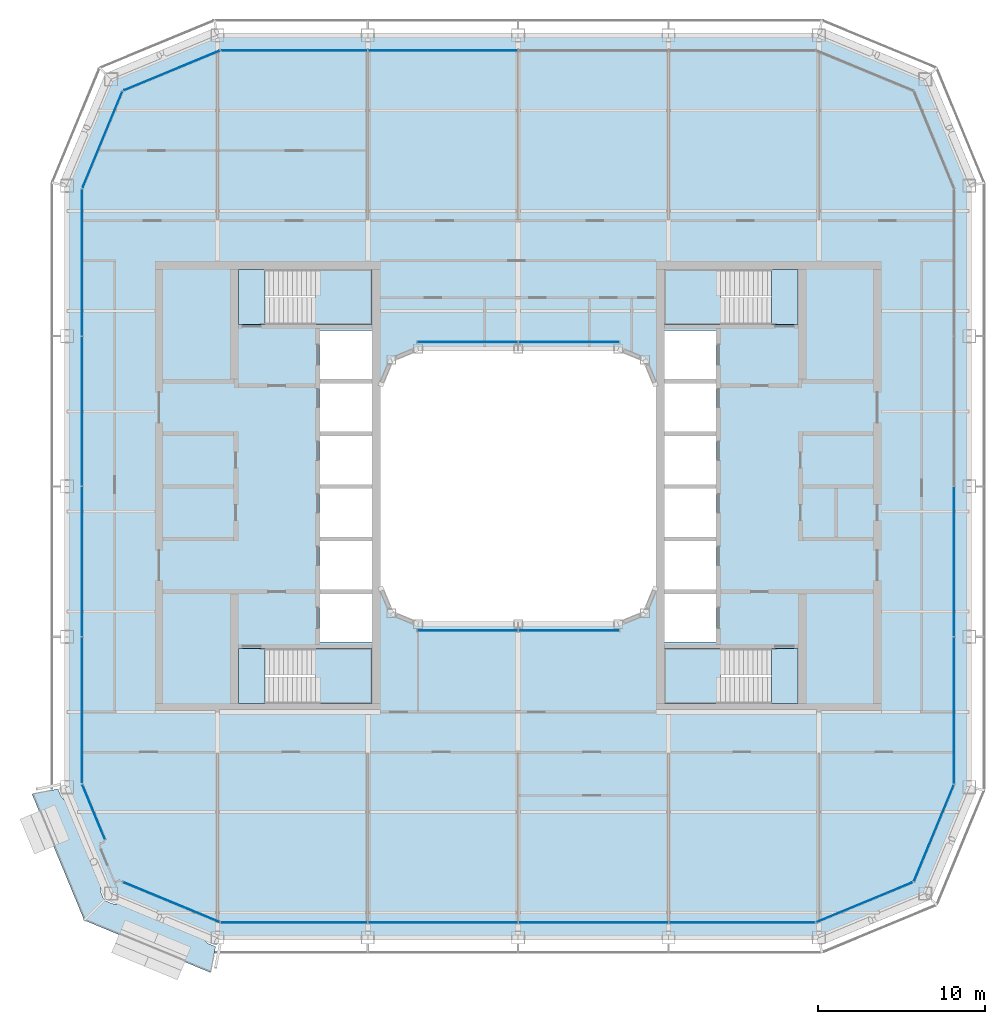
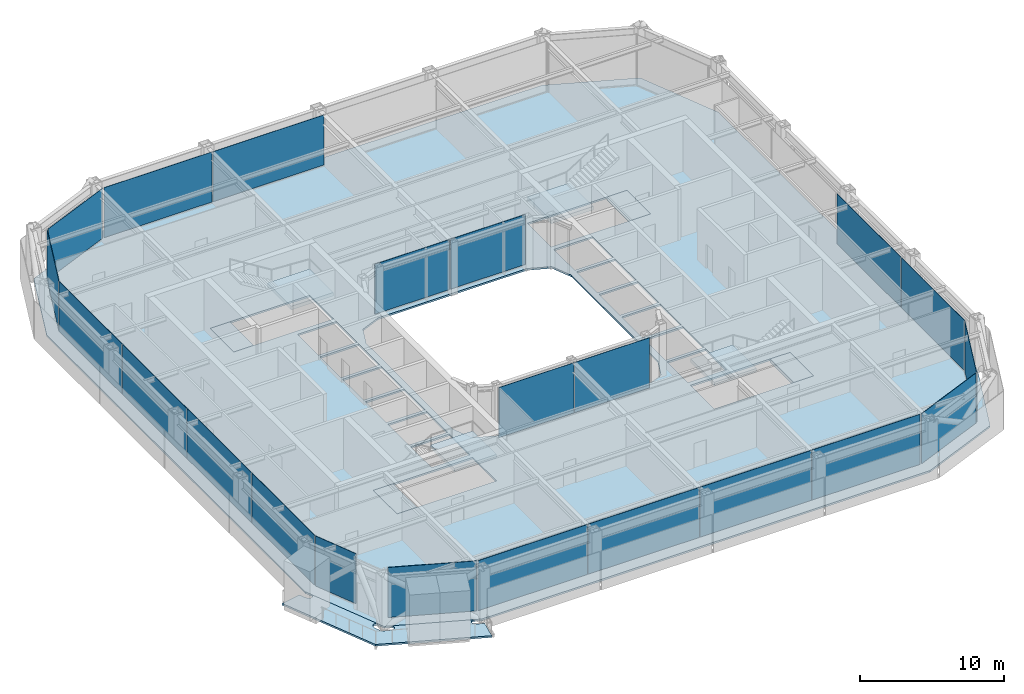
# One storey, part 11 of 23: 22 plates, 10 slabs, 16 elements without a shape of their own.
"""IFC4 building model written with IfcOpenShell, lengths in metres."""

from ifc_helpers import new_model, si_unit, direction, frame, origin, origin_2d, place, context, subcontext, project, spatial, polyline, rectangle, outline, extrude, material, layer, layer_set, type_object, element, aggregate, save


model = new_model("IFC4")

# Units and contexts
model_context = context("Model", 3, precision=1e-05, world=origin(), true_north=direction((0.0, 1.0)))
body_context = subcontext(model_context, "Body", "Model", "MODEL_VIEW")
ifc_project = project(units=[si_unit("LENGTHUNIT", "METRE"), si_unit("AREAUNIT", "SQUARE_METRE"), si_unit("VOLUMEUNIT", "CUBIC_METRE"), si_unit("PLANEANGLEUNIT", "RADIAN"), si_unit("MASSUNIT", "GRAM", prefix="KILO")], contexts=[model_context])

# Site, building, storey
site_placement = place(None, origin())
site = spatial("IfcSite", under=ifc_project, at=site_placement, CompositionType="ELEMENT")
building_placement = place(site_placement, origin())
building = spatial("IfcBuilding", under=site, at=building_placement, Name="Siwar Civic Tower", CompositionType="ELEMENT")
storey_placement = place(building_placement, frame((0.0, 0.0, 251.199951171875)))
storey = spatial("IfcBuildingStorey", under=building, at=storey_placement, Name="L54", CompositionType="ELEMENT", Elevation=251.199951171875)

# Stair, slabs
ifc_material_1 = material(Name="Concrete C40/50", Category="concrete")
stair_type = type_object("IfcStairType", Name="CORE-STAIR", PredefinedType="TWO_STRAIGHT_RUN_STAIR", material=ifc_material_1)
stair_1_placement = place(storey_placement, origin())
stair_1 = element("IfcStair", 1, at=stair_1_placement, inside=storey, type_object=stair_type, Name="Exit stair ST1", PredefinedType="TWO_STRAIGHT_RUN_STAIR")
ifc_material_2 = material(Name="Concrete C40/50", Category="concrete")
ifc_layer_1 = layer(ifc_material_2, 0.300048828125)
ifc_layer_set_1 = layer_set([ifc_layer_1], Name="Concrete C40/50")
slab_type_1 = type_object("IfcSlabType", Name="CORE-STAIR-LANDING", PredefinedType="LANDING", material=ifc_layer_set_1)
slab_1_placement = place(storey_placement, frame((0.0, 0.0, -0.300048828125)))
slab_1 = element("IfcSlab", 2, at=slab_1_placement, type_object=slab_type_1, Name="ST1 landing 1", PredefinedType="LANDING", context=body_context, shape_type="SweptSolid", body=[
    extrude(outline(polyline([(-15.14990234375, 13.0), (-16.75, 13.0), (-16.75, 9.699951171875), (-15.14990234375, 9.699951171875), (-15.14990234375, 13.0)])), origin(), (0.0, 0.0, 1.0), 0.300048828125),
])
slab_2_placement = place(storey_placement, frame((0.0, 0.0, 1.949951171875)))
slab_2 = element("IfcSlab", 3, at=slab_2_placement, type_object=slab_type_1, Name="ST1 landing 2", PredefinedType="LANDING", context=body_context, shape_type="SweptSolid", body=[
    extrude(outline(polyline([(-8.75, 13.0), (-12.139892578125, 13.0), (-12.139892578125, 9.699951171875), (-8.75, 9.699951171875), (-8.75, 13.0)])), origin(), (0.0, 0.0, 1.0), 0.300048828125),
])
aggregate(stair_1, [slab_1, slab_2])

stair_2_placement = place(storey_placement, origin())
stair_2 = element("IfcStair", 4, at=stair_2_placement, inside=storey, type_object=stair_type, Name="Exit stair ST2", PredefinedType="TWO_STRAIGHT_RUN_STAIR")
slab_3_placement = place(storey_placement, frame((0.0, 0.0, -0.300048828125)))
slab_3 = element("IfcSlab", 5, at=slab_3_placement, type_object=slab_type_1, Name="ST2 landing 1", PredefinedType="LANDING", context=body_context, shape_type="SweptSolid", body=[
    extrude(outline(polyline([(-15.14990234375, -9.699951171875), (-16.75, -9.699951171875), (-16.75, -13.0), (-15.14990234375, -13.0), (-15.14990234375, -9.699951171875)])), origin(), (0.0, 0.0, 1.0), 0.300048828125),
])
slab_4_placement = place(storey_placement, frame((0.0, 0.0, 1.949951171875)))
slab_4 = element("IfcSlab", 6, at=slab_4_placement, type_object=slab_type_1, Name="ST2 landing 2", PredefinedType="LANDING", context=body_context, shape_type="SweptSolid", body=[
    extrude(outline(polyline([(-8.75, -9.699951171875), (-12.139892578125, -9.699951171875), (-12.139892578125, -13.0), (-8.75, -13.0), (-8.75, -9.699951171875)])), origin(), (0.0, 0.0, 1.0), 0.300048828125),
])
aggregate(stair_2, [slab_3, slab_4])

stair_3_placement = place(storey_placement, origin())
stair_3 = element("IfcStair", 7, at=stair_3_placement, inside=storey, type_object=stair_type, Name="Exit stair ST3", PredefinedType="TWO_STRAIGHT_RUN_STAIR")
slab_5_placement = place(storey_placement, frame((0.0, 0.0, -0.300048828125)))
slab_5 = element("IfcSlab", 8, at=slab_5_placement, type_object=slab_type_1, Name="ST3 landing 1", PredefinedType="LANDING", context=body_context, shape_type="SweptSolid", body=[
    extrude(outline(polyline([(15.14990234375, 9.699951171875), (16.75, 9.699951171875), (16.75, 13.0), (15.14990234375, 13.0), (15.14990234375, 9.699951171875)])), origin(), (0.0, 0.0, 1.0), 0.300048828125),
])
slab_6_placement = place(storey_placement, frame((0.0, 0.0, 1.949951171875)))
slab_6 = element("IfcSlab", 9, at=slab_6_placement, type_object=slab_type_1, Name="ST3 landing 2", PredefinedType="LANDING", context=body_context, shape_type="SweptSolid", body=[
    extrude(outline(polyline([(8.75, 9.699951171875), (12.139892578125, 9.699951171875), (12.139892578125, 13.0), (8.75, 13.0), (8.75, 9.699951171875)])), origin(), (0.0, 0.0, 1.0), 0.300048828125),
])
aggregate(stair_3, [slab_5, slab_6])

stair_4_placement = place(storey_placement, origin())
stair_4 = element("IfcStair", 10, at=stair_4_placement, inside=storey, type_object=stair_type, Name="Exit stair ST4", PredefinedType="TWO_STRAIGHT_RUN_STAIR")
slab_7_placement = place(storey_placement, frame((0.0, 0.0, -0.300048828125)))
slab_7 = element("IfcSlab", 11, at=slab_7_placement, type_object=slab_type_1, Name="ST4 landing 1", PredefinedType="LANDING", context=body_context, shape_type="SweptSolid", body=[
    extrude(outline(polyline([(15.14990234375, -13.0), (16.75, -13.0), (16.75, -9.699951171875), (15.14990234375, -9.699951171875), (15.14990234375, -13.0)])), origin(), (0.0, 0.0, 1.0), 0.300048828125),
])
slab_8_placement = place(storey_placement, frame((0.0, 0.0, 1.949951171875)))
slab_8 = element("IfcSlab", 12, at=slab_8_placement, type_object=slab_type_1, Name="ST4 landing 2", PredefinedType="LANDING", context=body_context, shape_type="SweptSolid", body=[
    extrude(outline(polyline([(8.75, -13.0), (12.139892578125, -13.0), (12.139892578125, -9.699951171875), (8.75, -9.699951171875), (8.75, -13.0)])), origin(), (0.0, 0.0, 1.0), 0.300048828125),
])
aggregate(stair_4, [slab_7, slab_8])

# Slab
ifc_material_3 = material(Name="Concrete C40/50", Category="concrete")
ifc_layer_2 = layer(ifc_material_3, 0.14990234375)
ifc_layer_set_2 = layer_set([ifc_layer_2], Name="Concrete C40/50")
slab_type_2 = type_object("IfcSlabType", Name="ENV-BALCONY DECK 150", PredefinedType="FLOOR", material=ifc_layer_set_2)
slab_9_placement = place(storey_placement, frame((0.0, 0.0, -0.1494140625)))
element("IfcSlab", 13, at=slab_9_placement, inside=storey, type_object=slab_type_2, Name="Tree balcony deck SW", PredefinedType="FLOOR", context=body_context, shape_type="SweptSolid", body=[
    extrude(outline(polyline([(-24.712158203125, -24.78076171875), (-24.718505859375, -24.77783203125), (-24.724853515625, -24.774169921875), (-24.730712890625, -24.77001953125), (-24.73828125, -24.763916015625), (-24.763916015625, -24.763916015625), (-24.763916015625, -24.741455078125), (-24.778564453125, -24.72607421875), (-24.785400390625, -24.7177734375), (-24.801025390625, -24.695556640625), (-24.806640625, -24.686279296875), (-24.818603515625, -24.662353515625), (-24.82080078125, -24.657470703125), (-24.82080078125, -24.657470703125), (-24.82080078125, -24.657470703125), (-24.82080078125, -24.657470703125), (-24.82080078125, -24.657470703125), (-24.82421875, -24.649658203125), (-24.924560546875, -24.40869140625), (-24.94384765625, -24.362060546875), (-24.94482421875, -24.35986328125), (-24.96533203125, -24.305419921875), (-24.967041015625, -24.300537109375), (-24.98388671875, -24.244873046875), (-24.985595703125, -24.238037109375), (-24.99560546875, -24.189208984375), (-24.99658203125, -24.183837890625), (-25.002685546875, -24.13427734375), (-25.003173828125, -24.12890625), (-25.006103515625, -24.0791015625), (-25.006103515625, -24.073974609375), (-25.005615234375, -24.024169921875), (-25.00537109375, -24.0185546875), (-25.004638671875, -24.0126953125), (-24.99755859375, -23.970947265625), (-24.995849609375, -23.96337890625), (-24.993408203125, -23.9560546875), (-24.98046875, -23.922607421875), (-24.978271484375, -23.91748046875), (-24.962646484375, -23.88525390625), (-24.96044921875, -23.880615234375), (-24.942626953125, -23.849365234375), (-24.93896484375, -23.84326171875), (-24.9345703125, -23.837646484375), (-24.9296875, -23.83251953125), (-24.906982421875, -23.810546875), (-24.900634765625, -23.804931640625), (-24.8935546875, -23.80029296875), (-24.885986328125, -23.796142578125), (-24.85888671875, -23.78369140625), (-24.85400390625, -23.78173828125), (-24.826171875, -23.771240234375), (-24.818115234375, -23.768798828125), (-24.8095703125, -23.76708984375), (-24.80126953125, -23.7666015625), (-24.769775390625, -23.765869140625), (-24.762451171875, -23.76611328125), (-24.75537109375, -23.766845703125), (-24.74853515625, -23.7685546875), (-24.7138671875, -23.77783203125), (-24.708984375, -23.779541015625), (-24.675048828125, -23.791259765625), (-24.669921875, -23.793212890625), (-24.636962890625, -23.8076171875), (-24.630126953125, -23.81103515625), (-24.62353515625, -23.815185546875), (-24.5888671875, -23.839599609375), (-24.58447265625, -23.84326171875), (-24.580078125, -23.846923828125), (-24.57666015625, -23.85009765625), (-26.77978515625, -18.531494140625), (-26.7802734375, -18.5654296875), (-26.780517578125, -18.5712890625), (-26.78125, -18.576904296875), (-26.788330078125, -18.61865234375), (-26.789794921875, -18.626220703125), (-26.792236328125, -18.633544921875), (-26.805419921875, -18.6669921875), (-26.8076171875, -18.672119140625), (-26.822998046875, -18.70458984375), (-26.825439453125, -18.709228515625), (-26.84326171875, -18.740234375), (-26.846923828125, -18.746337890625), (-26.851318359375, -18.751953125), (-26.856201171875, -18.75732421875), (-26.87890625, -18.779052734375), (-26.88525390625, -18.78466796875), (-26.892333984375, -18.78955078125), (-26.899658203125, -18.79345703125), (-26.927001953125, -18.805908203125), (-26.931884765625, -18.80810546875), (-26.959716796875, -18.818603515625), (-26.9677734375, -18.821044921875), (-26.97607421875, -18.82275390625), (-26.984619140625, -18.8232421875), (-27.01611328125, -18.823974609375), (-27.023193359375, -18.82373046875), (-27.0302734375, -18.82275390625), (-27.037353515625, -18.8212890625), (-27.072021484375, -18.811767578125), (-27.076904296875, -18.810302734375), (-27.11083984375, -18.79833984375), (-27.115966796875, -18.79638671875), (-27.14892578125, -18.7822265625), (-27.15576171875, -18.77880859375), (-27.162353515625, -18.774658203125), (-27.197021484375, -18.75), (-27.201416015625, -18.74658203125), (-27.205810546875, -18.74267578125), (-27.241455078125, -18.7080078125), (-27.2451171875, -18.704345703125), (-27.278564453125, -18.667236328125), (-27.281982421875, -18.663330078125), (-27.312744140625, -18.623779296875), (-27.31591796875, -18.619384765625), (-27.343505859375, -18.577880859375), (-27.34716796875, -18.57177734375), (-27.374755859375, -18.520751953125), (-27.377197265625, -18.51611328125), (-27.4013671875, -18.463134765625), (-27.40234375, -18.4609375), (-27.405517578125, -18.453125), (-27.425048828125, -18.406494140625), (-27.522216796875, -18.17333984375), (-27.525390625, -18.16552734375), (-27.525390625, -18.16552734375), (-27.52783203125, -18.15869140625), (-27.533935546875, -18.13916015625), (-27.53564453125, -18.13232421875), (-27.53662109375, -18.12548828125), (-27.538818359375, -18.107177734375), (-29.10009765625, -18.417724609375), (-25.97119140625, -25.97119140625), (-18.417724609375, -29.10009765625), (-18.106689453125, -27.5361328125), (-18.107421875, -27.5361328125), (-18.1240234375, -27.535400390625), (-18.1328125, -27.53466796875), (-18.141357421875, -27.53271484375), (-18.156982421875, -27.5283203125), (-18.16552734375, -27.525390625), (-18.170166015625, -27.5234375), (-18.17333984375, -27.522216796875), (-18.18896484375, -27.515625), (-18.227783203125, -27.49951171875), (-18.240234375, -27.494140625), (-18.406494140625, -27.425048828125), (-18.453125, -27.405517578125), (-18.4609375, -27.40234375), (-18.463134765625, -27.4013671875), (-18.51611328125, -27.377197265625), (-18.520751953125, -27.374755859375), (-18.57177734375, -27.34716796875), (-18.577880859375, -27.343505859375), (-18.619384765625, -27.31591796875), (-18.623779296875, -27.312744140625), (-18.663330078125, -27.281982421875), (-18.667236328125, -27.278564453125), (-18.704345703125, -27.2451171875), (-18.7080078125, -27.241455078125), (-18.74267578125, -27.205810546875), (-18.74658203125, -27.201416015625), (-18.75, -27.197021484375), (-18.774658203125, -27.162353515625), (-18.77880859375, -27.15576171875), (-18.7822265625, -27.14892578125), (-18.79638671875, -27.115966796875), (-18.79833984375, -27.11083984375), (-18.810302734375, -27.076904296875), (-18.811767578125, -27.072021484375), (-18.8212890625, -27.037353515625), (-18.82275390625, -27.0302734375), (-18.82373046875, -27.023193359375), (-18.823974609375, -27.01611328125), (-18.8232421875, -26.984619140625), (-18.82275390625, -26.97607421875), (-18.821044921875, -26.9677734375), (-18.818603515625, -26.959716796875), (-18.80810546875, -26.931884765625), (-18.805908203125, -26.927001953125), (-18.79345703125, -26.899658203125), (-18.78955078125, -26.892333984375), (-18.78466796875, -26.88525390625), (-18.779052734375, -26.87890625), (-18.75732421875, -26.856201171875), (-18.751953125, -26.851318359375), (-18.746337890625, -26.846923828125), (-18.740234375, -26.84326171875), (-18.709228515625, -26.825439453125), (-18.70458984375, -26.822998046875), (-18.672119140625, -26.8076171875), (-18.6669921875, -26.805419921875), (-18.633544921875, -26.792236328125), (-18.626220703125, -26.789794921875), (-18.61865234375, -26.788330078125), (-18.576904296875, -26.78125), (-18.5712890625, -26.780517578125), (-18.5654296875, -26.7802734375), (-18.531494140625, -26.77978515625), (-23.85009765625, -24.57666015625), (-23.846923828125, -24.580078125), (-23.84326171875, -24.58447265625), (-23.839599609375, -24.5888671875), (-23.815185546875, -24.62353515625), (-23.81103515625, -24.630126953125), (-23.8076171875, -24.636962890625), (-23.793212890625, -24.669921875), (-23.791259765625, -24.675048828125), (-23.779541015625, -24.708984375), (-23.77783203125, -24.7138671875), (-23.7685546875, -24.74853515625), (-23.766845703125, -24.75537109375), (-23.76611328125, -24.762451171875), (-23.765869140625, -24.769775390625), (-23.7666015625, -24.80126953125), (-23.76708984375, -24.8095703125), (-23.768798828125, -24.818115234375), (-23.771240234375, -24.826171875), (-23.78173828125, -24.85400390625), (-23.78369140625, -24.85888671875), (-23.796142578125, -24.885986328125), (-23.80029296875, -24.8935546875), (-23.804931640625, -24.900634765625), (-23.810546875, -24.906982421875), (-23.83251953125, -24.9296875), (-23.837646484375, -24.9345703125), (-23.84326171875, -24.93896484375), (-23.849365234375, -24.942626953125), (-23.880615234375, -24.96044921875), (-23.88525390625, -24.962646484375), (-23.91748046875, -24.978271484375), (-23.922607421875, -24.98046875), (-23.9560546875, -24.993408203125), (-23.96337890625, -24.995849609375), (-23.970947265625, -24.99755859375), (-24.0126953125, -25.004638671875), (-24.0185546875, -25.00537109375), (-24.024169921875, -25.005615234375), (-24.073974609375, -25.006103515625), (-24.0791015625, -25.006103515625), (-24.12890625, -25.003173828125), (-24.13427734375, -25.002685546875), (-24.183837890625, -24.99658203125), (-24.189208984375, -24.99560546875), (-24.238037109375, -24.985595703125), (-24.244873046875, -24.98388671875), (-24.300537109375, -24.967041015625), (-24.305419921875, -24.96533203125), (-24.35986328125, -24.94482421875), (-24.362060546875, -24.94384765625), (-24.40869140625, -24.924560546875), (-24.649658203125, -24.82421875), (-24.657470703125, -24.82080078125), (-24.66552734375, -24.81689453125), (-24.6796875, -24.808837890625), (-24.68701171875, -24.80419921875), (-24.693603515625, -24.798583984375), (-24.7060546875, -24.787109375), (-24.71142578125, -24.78173828125), (-24.71142578125, -24.78173828125), (-24.71142578125, -24.781494140625), (-24.712158203125, -24.78076171875)])), origin(), (0.0, 0.0, 1.0), 0.1494140625),
])

# Curtain wall, plates
ifc_material_4 = material(Name="Aluminium and glass", Category="aluminium")
ifc_layer_3 = layer(ifc_material_4, 0.179931640625)
ifc_layer_set_3 = layer_set([ifc_layer_3], Name="Aluminium and glass")
curtain_wall_type_1 = type_object("IfcCurtainWallType", Name="ENV-CW-C", PredefinedType="NOTDEFINED", material=ifc_layer_set_3)
curtain_wall_1_placement = place(storey_placement, origin())
curtain_wall_1 = element("IfcCurtainWall", 14, at=curtain_wall_1_placement, inside=storey, type_object=curtain_wall_type_1, Name="Curtain wall C S", PredefinedType="NOTDEFINED")
ifc_material_5 = material(Name="Glass clear laminated", Category="glass")
ifc_layer_4 = layer(ifc_material_5, 0.031982421875)
ifc_layer_set_4 = layer_set([ifc_layer_4], Name="Glass clear laminated")
plate_type_1 = type_object("IfcPlateType", Name="ENV-PANEL-C", PredefinedType="CURTAIN_PANEL", material=ifc_layer_set_4)
plate_1_placement = place(storey_placement, frame((-13.410400390625, -26.10009765625, 0.10009765625), z_axis=(0.0, 0.0, 1.0), x_axis=(1.0, 0.0, 0.0)))
plate_1 = element("IfcPlate", 15, at=plate_1_placement, type_object=plate_type_1, Name="Curtain panel C S 1", PredefinedType="CURTAIN_PANEL", context=body_context, shape_type="SweptSolid", body=[
    extrude(rectangle(XDim=8.760986328125, YDim=0.031982421875, at=origin_2d()), origin(), (0.0, 0.0, 1.0), 4.25),
])
plate_2_placement = place(storey_placement, frame((-4.5, -26.10009765625, 0.10009765625), z_axis=(0.0, 0.0, 1.0), x_axis=(1.0, 0.0, 0.0)))
plate_2 = element("IfcPlate", 16, at=plate_2_placement, type_object=plate_type_1, Name="Curtain panel C S 2", PredefinedType="CURTAIN_PANEL", context=body_context, shape_type="SweptSolid", body=[
    extrude(rectangle(XDim=8.93994140625, YDim=0.031982421875, at=origin_2d()), origin(), (0.0, 0.0, 1.0), 4.25),
])
plate_3_placement = place(storey_placement, frame((4.5, -26.10009765625, 0.10009765625), z_axis=(0.0, 0.0, 1.0), x_axis=(1.0, 0.0, 0.0)))
plate_3 = element("IfcPlate", 17, at=plate_3_placement, type_object=plate_type_1, Name="Curtain panel C S 3", PredefinedType="CURTAIN_PANEL", context=body_context, shape_type="SweptSolid", body=[
    extrude(rectangle(XDim=8.93994140625, YDim=0.031982421875, at=origin_2d()), origin(), (0.0, 0.0, 1.0), 4.25),
])
plate_4_placement = place(storey_placement, frame((13.373046875, -26.10009765625, 0.10009765625), z_axis=(0.0, 0.0, 1.0), x_axis=(1.0, 0.0, 0.0)))
plate_4 = element("IfcPlate", 18, at=plate_4_placement, type_object=plate_type_1, Name="Curtain panel C S 4", PredefinedType="CURTAIN_PANEL", context=body_context, shape_type="SweptSolid", body=[
    extrude(rectangle(XDim=8.68603515625, YDim=0.031982421875, at=origin_2d()), origin(), (0.0, 0.0, 1.0), 4.25),
])
aggregate(curtain_wall_1, [plate_1, plate_2, plate_3, plate_4])

curtain_wall_2_placement = place(storey_placement, origin())
curtain_wall_2 = element("IfcCurtainWall", 19, at=curtain_wall_2_placement, inside=storey, type_object=curtain_wall_type_1, Name="Curtain wall C E", PredefinedType="NOTDEFINED")
plate_5_placement = place(storey_placement, frame((26.10009765625, -13.410400390625, 0.10009765625), z_axis=(0.0, 0.0, 1.0), x_axis=(0.0, 1.0, 0.0)))
plate_5 = element("IfcPlate", 20, at=plate_5_placement, type_object=plate_type_1, Name="Curtain panel C E 1", PredefinedType="CURTAIN_PANEL", context=body_context, shape_type="SweptSolid", body=[
    extrude(rectangle(XDim=8.760986328125, YDim=0.031982421875, at=origin_2d()), origin(), (0.0, 0.0, 1.0), 4.25),
])
plate_6_placement = place(storey_placement, frame((26.10009765625, -4.5, 0.10009765625), z_axis=(0.0, 0.0, 1.0), x_axis=(0.0, 1.0, 0.0)))
plate_6 = element("IfcPlate", 21, at=plate_6_placement, type_object=plate_type_1, Name="Curtain panel C E 2", PredefinedType="CURTAIN_PANEL", context=body_context, shape_type="SweptSolid", body=[
    extrude(rectangle(XDim=8.93994140625, YDim=0.031982421875, at=origin_2d()), origin(), (0.0, 0.0, 1.0), 4.25),
])
aggregate(curtain_wall_2, [plate_5, plate_6])

curtain_wall_3_placement = place(storey_placement, origin())
curtain_wall_3 = element("IfcCurtainWall", 22, at=curtain_wall_3_placement, inside=storey, type_object=curtain_wall_type_1, Name="Curtain wall C N", PredefinedType="NOTDEFINED")
plate_7_placement = place(storey_placement, frame((-4.5, 26.10009765625, 0.10009765625), z_axis=(0.0, 0.0, 1.0), x_axis=(-1.0, 0.0, 0.0)))
plate_7 = element("IfcPlate", 23, at=plate_7_placement, type_object=plate_type_1, Name="Curtain panel C N 3", PredefinedType="CURTAIN_PANEL", context=body_context, shape_type="SweptSolid", body=[
    extrude(rectangle(XDim=8.93994140625, YDim=0.031982421875, at=origin_2d()), origin(), (0.0, 0.0, 1.0), 4.25),
])
plate_8_placement = place(storey_placement, frame((-13.373046875, 26.10009765625, 0.10009765625), z_axis=(0.0, 0.0, 1.0), x_axis=(-1.0, 0.0, 0.0)))
plate_8 = element("IfcPlate", 24, at=plate_8_placement, type_object=plate_type_1, Name="Curtain panel C N 4", PredefinedType="CURTAIN_PANEL", context=body_context, shape_type="SweptSolid", body=[
    extrude(rectangle(XDim=8.68603515625, YDim=0.031982421875, at=origin_2d()), origin(), (0.0, 0.0, 1.0), 4.25),
])
aggregate(curtain_wall_3, [plate_7, plate_8])

curtain_wall_4_placement = place(storey_placement, origin())
curtain_wall_4 = element("IfcCurtainWall", 25, at=curtain_wall_4_placement, inside=storey, type_object=curtain_wall_type_1, Name="Curtain wall C W", PredefinedType="NOTDEFINED")
plate_9_placement = place(storey_placement, frame((-26.10009765625, 13.410400390625, 0.10009765625), z_axis=(0.0, 0.0, 1.0), x_axis=(0.0, -1.0, 0.0)))
plate_9 = element("IfcPlate", 26, at=plate_9_placement, type_object=plate_type_1, Name="Curtain panel C W 1", PredefinedType="CURTAIN_PANEL", context=body_context, shape_type="SweptSolid", body=[
    extrude(rectangle(XDim=8.760986328125, YDim=0.031982421875, at=origin_2d()), origin(), (0.0, 0.0, 1.0), 4.25),
])
plate_10_placement = place(storey_placement, frame((-26.10009765625, 4.5, 0.10009765625), z_axis=(0.0, 0.0, 1.0), x_axis=(0.0, -1.0, 0.0)))
plate_10 = element("IfcPlate", 27, at=plate_10_placement, type_object=plate_type_1, Name="Curtain panel C W 2", PredefinedType="CURTAIN_PANEL", context=body_context, shape_type="SweptSolid", body=[
    extrude(rectangle(XDim=8.93994140625, YDim=0.031982421875, at=origin_2d()), origin(), (0.0, 0.0, 1.0), 4.25),
])
plate_11_placement = place(storey_placement, frame((-26.10009765625, -4.5, 0.10009765625), z_axis=(0.0, 0.0, 1.0), x_axis=(0.0, -1.0, 0.0)))
plate_11 = element("IfcPlate", 28, at=plate_11_placement, type_object=plate_type_1, Name="Curtain panel C W 3", PredefinedType="CURTAIN_PANEL", context=body_context, shape_type="SweptSolid", body=[
    extrude(rectangle(XDim=8.93994140625, YDim=0.031982421875, at=origin_2d()), origin(), (0.0, 0.0, 1.0), 4.25),
])
plate_12_placement = place(storey_placement, frame((-26.10009765625, -13.373046875, 0.10009765625), z_axis=(0.0, 0.0, 1.0), x_axis=(0.0, -1.0, 0.0)))
plate_12 = element("IfcPlate", 29, at=plate_12_placement, type_object=plate_type_1, Name="Curtain panel C W 4", PredefinedType="CURTAIN_PANEL", context=body_context, shape_type="SweptSolid", body=[
    extrude(rectangle(XDim=8.68603515625, YDim=0.031982421875, at=origin_2d()), origin(), (0.0, 0.0, 1.0), 4.25),
])
aggregate(curtain_wall_4, [plate_9, plate_10, plate_11, plate_12])

# Curtain wall, plate
ifc_material_6 = material(Name="Aluminium clad insulated panel", Category="aluminium")
ifc_layer_5 = layer(ifc_material_6, 0.179931640625)
ifc_layer_set_5 = layer_set([ifc_layer_5], Name="Aluminium clad insulated panel")
curtain_wall_type_2 = type_object("IfcCurtainWallType", Name="ENV-CW-CX", PredefinedType="NOTDEFINED", material=ifc_layer_set_5)
curtain_wall_5_placement = place(storey_placement, origin())
curtain_wall_5 = element("IfcCurtainWall", 30, at=curtain_wall_5_placement, inside=storey, type_object=curtain_wall_type_2, Name="Curtain wall C SE1", PredefinedType="NOTDEFINED")
ifc_material_7 = material(Name="Aluminium clad insulated panel", Category="aluminium")
ifc_layer_6 = layer(ifc_material_7, 0.031982421875)
ifc_layer_set_6 = layer_set([ifc_layer_6], Name="Aluminium clad insulated panel")
plate_type_2 = type_object("IfcPlateType", Name="ENV-PANEL-CX", PredefinedType="CURTAIN_PANEL", material=ifc_layer_set_6)
plate_13_placement = place(storey_placement, frame((20.71337890625, -24.90185546875, 0.10009765625), z_axis=(0.0, 0.0, 1.0), x_axis=(0.923879532511, 0.382683432365, 0.0)))
plate_13 = element("IfcPlate", 31, at=plate_13_placement, type_object=plate_type_2, Name="Curtain panel C SE1 1", PredefinedType="CURTAIN_PANEL", context=body_context, shape_type="SweptSolid", body=[
    extrude(rectangle(XDim=6.20166015625, YDim=0.031982421875, at=origin_2d()), origin(), (0.0, 0.0, 1.0), 4.25),
])
aggregate(curtain_wall_5, [plate_13])

curtain_wall_6_placement = place(storey_placement, origin())
curtain_wall_6 = element("IfcCurtainWall", 32, at=curtain_wall_6_placement, inside=storey, type_object=curtain_wall_type_2, Name="Curtain wall C SE2", PredefinedType="NOTDEFINED")
plate_14_placement = place(storey_placement, frame((24.873291015625, -20.78271484375, 0.10009765625), z_axis=(0.0, 0.0, 1.0), x_axis=(0.382683432365, 0.923879532511, 0.0)))
plate_14 = element("IfcPlate", 33, at=plate_14_placement, type_object=plate_type_2, Name="Curtain panel C SE2 1", PredefinedType="CURTAIN_PANEL", context=body_context, shape_type="SweptSolid", body=[
    extrude(rectangle(XDim=6.20166015625, YDim=0.031982421875, at=origin_2d()), origin(), (0.0, 0.0, 1.0), 4.25),
])
aggregate(curtain_wall_6, [plate_14])

curtain_wall_7_placement = place(storey_placement, origin())
curtain_wall_7 = element("IfcCurtainWall", 34, at=curtain_wall_7_placement, inside=storey, type_object=curtain_wall_type_2, Name="Curtain wall C NW1", PredefinedType="NOTDEFINED")
plate_15_placement = place(storey_placement, frame((-20.71337890625, 24.90185546875, 0.10009765625), z_axis=(0.0, 0.0, 1.0), x_axis=(-0.923879532511, -0.382683432365, 0.0)))
plate_15 = element("IfcPlate", 35, at=plate_15_placement, type_object=plate_type_2, Name="Curtain panel C NW1 1", PredefinedType="CURTAIN_PANEL", context=body_context, shape_type="SweptSolid", body=[
    extrude(rectangle(XDim=6.20166015625, YDim=0.031982421875, at=origin_2d()), origin(), (0.0, 0.0, 1.0), 4.25),
])
aggregate(curtain_wall_7, [plate_15])

curtain_wall_8_placement = place(storey_placement, origin())
curtain_wall_8 = element("IfcCurtainWall", 36, at=curtain_wall_8_placement, inside=storey, type_object=curtain_wall_type_2, Name="Curtain wall C NW2", PredefinedType="NOTDEFINED")
plate_16_placement = place(storey_placement, frame((-24.873291015625, 20.78271484375, 0.10009765625), z_axis=(0.0, 0.0, 1.0), x_axis=(-0.382683432365, -0.923879532511, 0.0)))
plate_16 = element("IfcPlate", 37, at=plate_16_placement, type_object=plate_type_2, Name="Curtain panel C NW2 1", PredefinedType="CURTAIN_PANEL", context=body_context, shape_type="SweptSolid", body=[
    extrude(rectangle(XDim=6.20166015625, YDim=0.031982421875, at=origin_2d()), origin(), (0.0, 0.0, 1.0), 4.25),
])
aggregate(curtain_wall_8, [plate_16])

curtain_wall_9_placement = place(storey_placement, origin())
curtain_wall_9 = element("IfcCurtainWall", 38, at=curtain_wall_9_placement, inside=storey, type_object=curtain_wall_type_2, Name="Curtain wall C SW1", PredefinedType="NOTDEFINED")
plate_17_placement = place(storey_placement, frame((-25.40966796875, -19.4873046875, 0.10009765625), z_axis=(0.0, 0.0, 1.0), x_axis=(0.382683432365, -0.923879532511, 0.0)))
plate_17 = element("IfcPlate", 39, at=plate_17_placement, type_object=plate_type_2, Name="Curtain panel C SW1 1", PredefinedType="CURTAIN_PANEL", context=body_context, shape_type="SweptSolid", body=[
    extrude(rectangle(XDim=3.54736328125, YDim=0.031982421875, at=origin_2d()), origin(), (0.0, 0.0, 1.0), 4.25),
])
aggregate(curtain_wall_9, [plate_17])

curtain_wall_10_placement = place(storey_placement, origin())
curtain_wall_10 = element("IfcCurtainWall", 40, at=curtain_wall_10_placement, inside=storey, type_object=curtain_wall_type_2, Name="Curtain wall C SW2", PredefinedType="NOTDEFINED")
plate_18_placement = place(storey_placement, frame((-20.78271484375, -24.873291015625, 0.10009765625), z_axis=(0.0, 0.0, 1.0), x_axis=(0.923879532511, -0.382683432365, 0.0)))
plate_18 = element("IfcPlate", 41, at=plate_18_placement, type_object=plate_type_2, Name="Curtain panel C SW2 1", PredefinedType="CURTAIN_PANEL", context=body_context, shape_type="SweptSolid", body=[
    extrude(rectangle(XDim=6.20166015625, YDim=0.031982421875, at=origin_2d()), origin(), (0.0, 0.0, 1.0), 4.25),
])
aggregate(curtain_wall_10, [plate_18])

# Curtain wall, plates
ifc_material_8 = material(Name="Aluminium and glass", Category="aluminium")
ifc_layer_7 = layer(ifc_material_8, 0.179931640625)
ifc_layer_set_7 = layer_set([ifc_layer_7], Name="Aluminium and glass")
curtain_wall_type_3 = type_object("IfcCurtainWallType", Name="ENV-CW-W", PredefinedType="NOTDEFINED", material=ifc_layer_set_7)
curtain_wall_11_placement = place(storey_placement, origin())
curtain_wall_11 = element("IfcCurtainWall", 42, at=curtain_wall_11_placement, inside=storey, type_object=curtain_wall_type_3, Name="Curtain wall W WS", PredefinedType="NOTDEFINED")
ifc_material_9 = material(Name="Glass clear laminated", Category="glass")
ifc_layer_8 = layer(ifc_material_9, 0.031982421875)
ifc_layer_set_8 = layer_set([ifc_layer_8], Name="Glass clear laminated")
plate_type_3 = type_object("IfcPlateType", Name="ENV-PANEL-W", PredefinedType="CURTAIN_PANEL", material=ifc_layer_set_8)
plate_19_placement = place(storey_placement, frame((-3.038330078125, -8.635009765625, 0.10009765625), z_axis=(0.0, 0.0, 1.0), x_axis=(1.0, 0.0, 0.0)))
plate_19 = element("IfcPlate", 43, at=plate_19_placement, type_object=plate_type_3, Name="Curtain panel W WS 1", PredefinedType="CURTAIN_PANEL", context=body_context, shape_type="SweptSolid", body=[
    extrude(rectangle(XDim=6.0166015625, YDim=0.031982421875, at=origin_2d()), origin(), (0.0, 0.0, 1.0), 4.25),
])
plate_20_placement = place(storey_placement, frame((3.038330078125, -8.635009765625, 0.10009765625), z_axis=(0.0, 0.0, 1.0), x_axis=(1.0, 0.0, 0.0)))
plate_20 = element("IfcPlate", 44, at=plate_20_placement, type_object=plate_type_3, Name="Curtain panel W WS 2", PredefinedType="CURTAIN_PANEL", context=body_context, shape_type="SweptSolid", body=[
    extrude(rectangle(XDim=6.0166015625, YDim=0.031982421875, at=origin_2d()), origin(), (0.0, 0.0, 1.0), 4.25),
])
aggregate(curtain_wall_11, [plate_19, plate_20])

curtain_wall_12_placement = place(storey_placement, origin())
curtain_wall_12 = element("IfcCurtainWall", 45, at=curtain_wall_12_placement, inside=storey, type_object=curtain_wall_type_3, Name="Curtain wall W WN", PredefinedType="NOTDEFINED")
plate_21_placement = place(storey_placement, frame((3.038330078125, 8.635009765625, 0.10009765625), z_axis=(0.0, 0.0, 1.0), x_axis=(-1.0, 0.0, 0.0)))
plate_21 = element("IfcPlate", 46, at=plate_21_placement, type_object=plate_type_3, Name="Curtain panel W WN 1", PredefinedType="CURTAIN_PANEL", context=body_context, shape_type="SweptSolid", body=[
    extrude(rectangle(XDim=6.0166015625, YDim=0.031982421875, at=origin_2d()), origin(), (0.0, 0.0, 1.0), 4.25),
])
plate_22_placement = place(storey_placement, frame((-3.038330078125, 8.635009765625, 0.10009765625), z_axis=(0.0, 0.0, 1.0), x_axis=(-1.0, 0.0, 0.0)))
plate_22 = element("IfcPlate", 47, at=plate_22_placement, type_object=plate_type_3, Name="Curtain panel W WN 2", PredefinedType="CURTAIN_PANEL", context=body_context, shape_type="SweptSolid", body=[
    extrude(rectangle(XDim=6.0166015625, YDim=0.031982421875, at=origin_2d()), origin(), (0.0, 0.0, 1.0), 4.25),
])
aggregate(curtain_wall_12, [plate_21, plate_22])

# Slab
ifc_material_10 = material(Name="Concrete C40/50", Category="concrete")
ifc_layer_9 = layer(ifc_material_10, 0.14990234375)
ifc_layer_set_9 = layer_set([ifc_layer_9], Name="Concrete C40/50")
slab_type_3 = type_object("IfcSlabType", Name="STR-FLOOR-DECK-150", PredefinedType="FLOOR", material=ifc_layer_set_9)
slab_10_placement = place(storey_placement, frame((0.0, 0.0, -0.14990234375)))
element("IfcSlab", 48, at=slab_10_placement, inside=storey, type_object=slab_type_3, Name="L54/slab/1", PredefinedType="FLOOR", context=body_context, shape_type="SweptSolid", body=[
    extrude(outline(polyline([(-18.0, -27.0), (18.0, -27.0), (24.364013671875, -24.364013671875), (27.0, -18.0), (27.0, 18.0), (24.364013671875, 24.364013671875), (18.0, 27.0), (-18.0, 27.0), (-24.364013671875, 24.364013671875), (-27.0, 18.0), (-27.0, -18.0), (-24.364013671875, -24.364013671875), (-18.0, -27.0)]), holes=[polyline([(16.75, 13.0), (16.75, 9.699951171875), (8.75, 9.699951171875), (8.75, 13.0), (16.75, 13.0)]), polyline([(8.75, -9.699951171875), (16.75, -9.699951171875), (16.75, -13.0), (8.75, -13.0), (8.75, -9.699951171875)]), polyline([(11.85009765625, 9.324951171875), (11.85009765625, 6.425048828125), (8.75, 6.425048828125), (8.75, 9.324951171875), (11.85009765625, 9.324951171875)]), polyline([(8.75, 6.175048828125), (11.85009765625, 6.175048828125), (11.85009765625, 3.27490234375), (8.75, 3.27490234375), (8.75, 6.175048828125)]), polyline([(8.75, 3.02490234375), (11.85009765625, 3.02490234375), (11.85009765625, 0.125), (8.75, 0.125), (8.75, 3.02490234375)]), polyline([(8.75, -0.125), (11.85009765625, -0.125), (11.85009765625, -3.02490234375), (8.75, -3.02490234375), (8.75, -0.125)]), polyline([(8.75, -3.27490234375), (11.85009765625, -3.27490234375), (11.85009765625, -6.175048828125), (8.75, -6.175048828125), (8.75, -3.27490234375)]), polyline([(8.75, -6.425048828125), (11.85009765625, -6.425048828125), (11.85009765625, -9.324951171875), (8.75, -9.324951171875), (8.75, -6.425048828125)]), polyline([(-6.0, 8.25), (6.0, 8.25), (7.591064453125, 7.591064453125), (8.25, 6.0), (8.25, -6.0), (7.591064453125, -7.591064453125), (6.0, -8.25), (-6.0, -8.25), (-7.591064453125, -7.591064453125), (-8.25, -6.0), (-8.25, 6.0), (-7.591064453125, 7.591064453125), (-6.0, 8.25)]), polyline([(-8.75, -13.0), (-16.75, -13.0), (-16.75, -9.699951171875), (-8.75, -9.699951171875), (-8.75, -13.0)]), polyline([(-8.75, 9.699951171875), (-16.75, 9.699951171875), (-16.75, 13.0), (-8.75, 13.0), (-8.75, 9.699951171875)]), polyline([(-8.75, 6.425048828125), (-11.85009765625, 6.425048828125), (-11.85009765625, 9.324951171875), (-8.75, 9.324951171875), (-8.75, 6.425048828125)]), polyline([(-8.75, 3.27490234375), (-11.85009765625, 3.27490234375), (-11.85009765625, 6.175048828125), (-8.75, 6.175048828125), (-8.75, 3.27490234375)]), polyline([(-8.75, 0.125), (-11.85009765625, 0.125), (-11.85009765625, 3.02490234375), (-8.75, 3.02490234375), (-8.75, 0.125)]), polyline([(-8.75, -3.02490234375), (-11.85009765625, -3.02490234375), (-11.85009765625, -0.125), (-8.75, -0.125), (-8.75, -3.02490234375)]), polyline([(-8.75, -6.175048828125), (-11.85009765625, -6.175048828125), (-11.85009765625, -3.27490234375), (-8.75, -3.27490234375), (-8.75, -6.175048828125)]), polyline([(-8.75, -9.324951171875), (-11.85009765625, -9.324951171875), (-11.85009765625, -6.425048828125), (-8.75, -6.425048828125), (-8.75, -9.324951171875)])]), origin(), (0.0, 0.0, 1.0), 0.14990234375),
])

save(model, "model.ifc")
